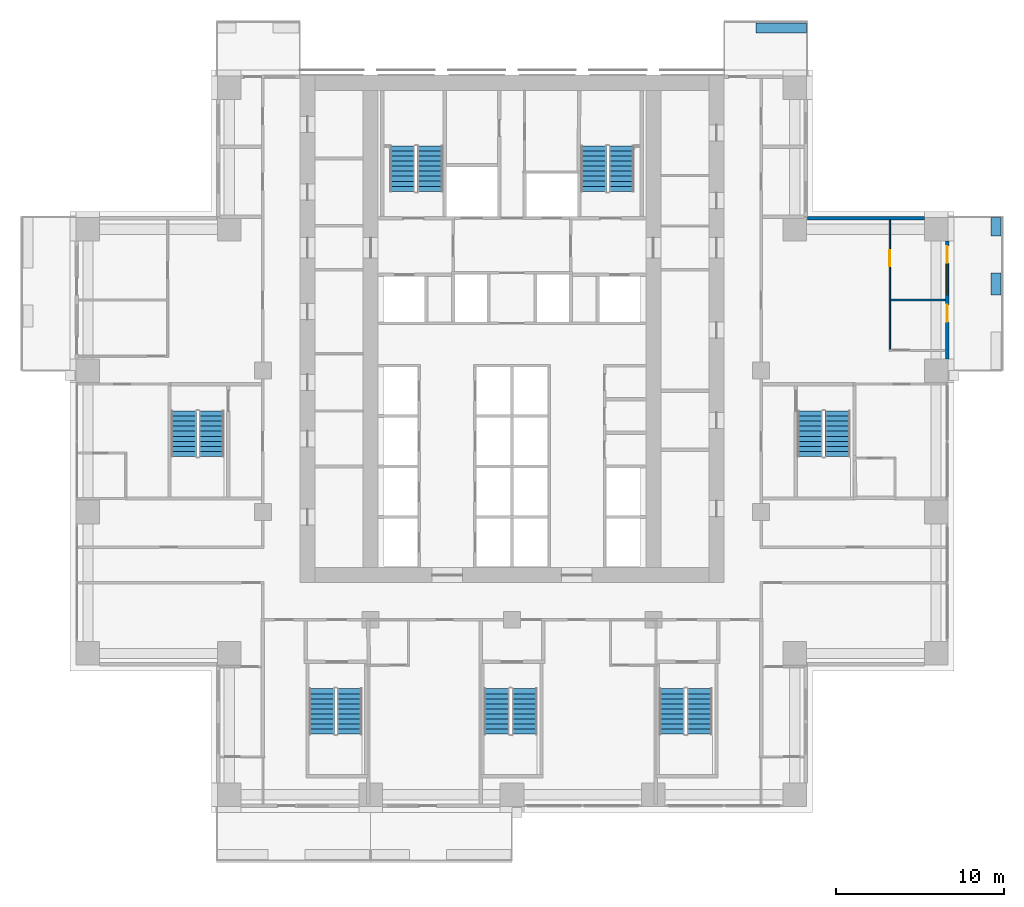
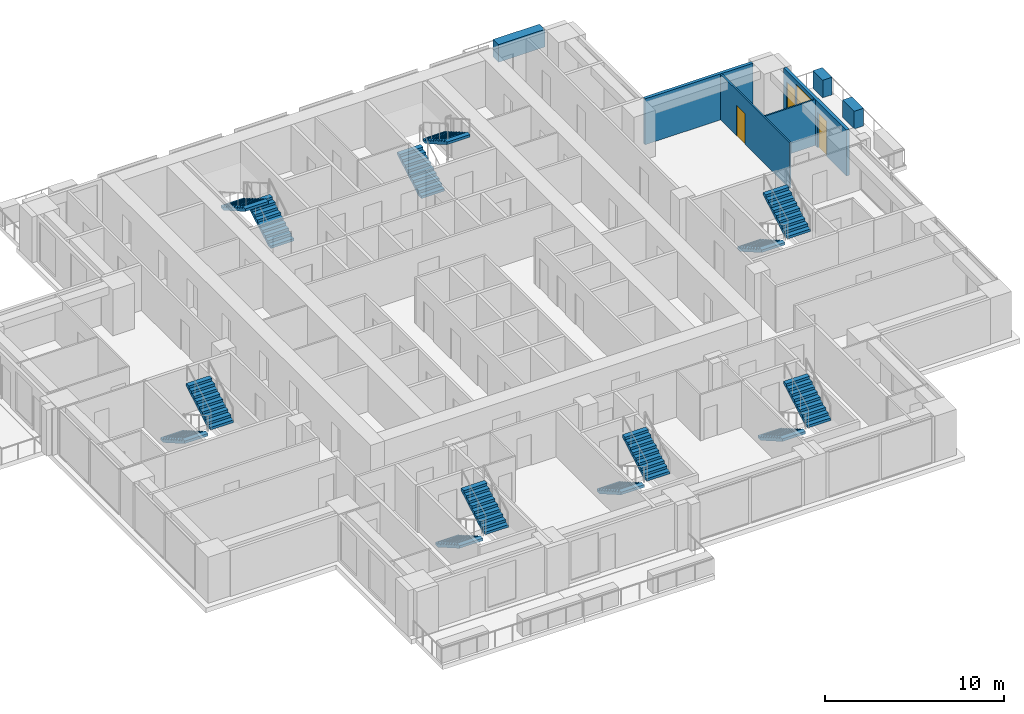
# One storey, part 12 of 16: 14 stair flights, 7 walls, 3 doors, 1 window, 4 openings, 7 elements without a shape of their own.
"""IFC4 building model written with IfcOpenShell, lengths in metres."""

from ifc_helpers import new_model, si_unit, direction, frame, frame_2d, origin, place, context, subcontext, project, spatial, polyline, rectangle, outline, extrude, material, layer, layer_set, type_object, element, fill, aggregate, save


model = new_model("IFC4")

# Units and contexts
model_context = context("Model", 3, precision=1e-05, world=origin(), true_north=direction((0.0, 1.0)))
body_context = subcontext(model_context, "Body", "Model", "MODEL_VIEW")
ifc_project = project(units=[si_unit("LENGTHUNIT", "METRE"), si_unit("AREAUNIT", "SQUARE_METRE"), si_unit("VOLUMEUNIT", "CUBIC_METRE"), si_unit("PLANEANGLEUNIT", "RADIAN"), si_unit("MASSUNIT", "GRAM", prefix="KILO")], contexts=[model_context])

# Site, building, storey
site_placement = place(None, origin())
site = spatial("IfcSite", under=ifc_project, at=site_placement, CompositionType="ELEMENT")
building_placement = place(site_placement, origin())
building = spatial("IfcBuilding", under=site, at=building_placement, Name="Vermilion Ogive Tower", CompositionType="ELEMENT")
storey_placement = place(building_placement, frame((0.0, 0.0, 41.39990234375)))
storey = spatial("IfcBuildingStorey", under=building, at=storey_placement, Name="L08", CompositionType="ELEMENT", Elevation=41.39990234375)

# Wall
ifc_material_1 = material(Name="Gypsum board partition on steel studs", Category="steel")
ifc_layer_1 = layer(ifc_material_1, 0.10009765625)
ifc_layer_set_1 = layer_set([ifc_layer_1], Name="Partition 100 inner")
wall_type_1 = type_object("IfcWallType", Name="Partition 100 inner", PredefinedType="PARTITIONING", material=ifc_layer_set_1)
wall_1_placement = place(storey_placement, frame((22.5, 8.39990234375, 0.0), z_axis=(0.0, 0.0, 1.0), x_axis=(1.0, 0.0, 0.0)))
element("IfcWall", 1, at=wall_1_placement, inside=storey, type_object=wall_type_1, Name="L08-W-W036", PredefinedType="PARTITIONING", context=body_context, shape_type="SweptSolid", body=[
    extrude(rectangle(XDim=3.25, YDim=0.10009765625, at=frame_2d((1.625, 0.0))), origin(), (0.0, 0.0, 1.0), 3.130126953125),
])

# Wall, opening, door
wall_2_placement = place(storey_placement, frame((22.449951171875, 5.449951171875, 0.0), z_axis=(0.0, 0.0, 1.0), x_axis=(0.0, 1.0, 0.0)))
wall_2 = element("IfcWall", 2, at=wall_2_placement, inside=storey, type_object=wall_type_1, Name="L08-W-W072", PredefinedType="PARTITIONING", context=body_context, shape_type="SweptSolid", body=[
    extrude(rectangle(XDim=7.699951171875, YDim=0.10009765625, at=frame_2d((3.85009765625, 0.0))), origin(), (0.0, 0.0, 1.0), 3.130126953125),
])
opening_1_placement = place(wall_2_placement, frame((4.949951171875, 0.0, 0.0)))
opening_1 = element("IfcOpeningElement", 3, at=opening_1_placement, cuts=wall_2, Name="Opening D1G2019", PredefinedType="OPENING", context=body_context, shape_type="SweptSolid", body=[
    extrude(rectangle(XDim=0.949951171875, YDim=2.10009765625, at=frame_2d((0.47509765625, 1.050048828125))), frame((0.0, 0.06005859375, 0.0), z_axis=(0.0, -1.0, 0.0), x_axis=(1.0, 0.0, 0.0)), (0.0, 0.0, 1.0), 0.1201171875),
])
ifc_material_2 = material(Name="Timber door leaf", Category="wood")
door_type_1 = type_object("IfcDoorType", Name="Inner door 950 x 2100 FD30", OperationType="SINGLE_SWING_LEFT", PredefinedType="DOOR", material=ifc_material_2)
door_1_placement = place(opening_1_placement, origin())
door_1 = element("IfcDoor", 4, at=door_1_placement, inside=storey, type_object=door_type_1, Name="L08-D-D019", OperationType="SINGLE_SWING_LEFT", OverallHeight=2.10009765625, OverallWidth=0.949951171875, PredefinedType="DOOR", context=body_context, shape_type="SweptSolid", body=[
    extrude(rectangle(XDim=0.949951171875, YDim=2.10009765625, at=frame_2d((0.47509765625, 1.050048828125))), frame((0.0, 0.02490234375, 0.0), z_axis=(0.0, -1.0, 0.0), x_axis=(1.0, 0.0, 0.0)), (0.0, 0.0, 1.0), 0.050048828125),
])
fill(opening_1, door_1)

# Walls
ifc_material_3 = material(Name="Concrete B40", Category="concrete")
ifc_layer_2 = layer(ifc_material_3, 0.60009765625)
ifc_layer_set_2 = layer_set([ifc_layer_2], Name="Structural planter")
wall_type_2 = type_object("IfcWallType", Name="Structural planter", PredefinedType="USERDEFINED", material=ifc_layer_set_2)
wall_3_placement = place(storey_placement, frame((28.75, 8.699951171875, -0.039794921875), z_axis=(0.0, 0.0, 1.0), x_axis=(0.0, 1.0, 0.0)))
element("IfcWall", 5, at=wall_3_placement, inside=storey, type_object=wall_type_2, Name="Planter E03A2", ObjectType="PLANTER", PredefinedType="USERDEFINED", context=body_context, shape_type="SweptSolid", body=[
    extrude(rectangle(XDim=1.300048828125, YDim=0.60009765625, at=frame_2d((0.64990234375, 0.0))), origin(), (0.0, 0.0, 1.0), 1.199951171875),
])
wall_4_placement = place(storey_placement, frame((28.75, 12.199951171875, -0.039794921875), z_axis=(0.0, 0.0, 1.0), x_axis=(0.0, 1.0, 0.0)))
element("IfcWall", 6, at=wall_4_placement, inside=storey, type_object=wall_type_2, Name="Planter E03A3", ObjectType="PLANTER", PredefinedType="USERDEFINED", context=body_context, shape_type="SweptSolid", body=[
    extrude(rectangle(XDim=1.090087890625, YDim=0.60009765625, at=frame_2d((0.544921875, 0.0))), origin(), (0.0, 0.0, 1.0), 1.199951171875),
])
wall_5_placement = place(storey_placement, frame((17.489990234375, 24.550048828125, -0.039794921875), z_axis=(0.0, 0.0, 1.0), x_axis=(-1.0, 0.0, 0.0)))
element("IfcWall", 7, at=wall_5_placement, inside=storey, type_object=wall_type_2, Name="Planter N101A1", ObjectType="PLANTER", PredefinedType="USERDEFINED", context=body_context, shape_type="SweptSolid", body=[
    extrude(rectangle(XDim=2.989990234375, YDim=0.60009765625, at=frame_2d((1.4951171875, 0.0))), origin(), (0.0, 0.0, 1.0), 1.199951171875),
])

# Wall, openings, doors, window
ifc_material_4 = material(Name="Aluminium window wall framing", Category="aluminium")
ifc_layer_3 = layer(ifc_material_4, 0.199951171875)
ifc_layer_set_3 = layer_set([ifc_layer_3], Name="Window wall")
wall_type_3 = type_object("IfcWallType", Name="Window wall", PredefinedType="STANDARD", material=ifc_layer_set_3)
wall_6_placement = place(storey_placement, frame((25.85009765625, 4.89990234375, 0.0), z_axis=(0.0, 0.0, 1.0), x_axis=(0.0, 1.0, 0.0)))
wall_6 = element("IfcWall", 8, at=wall_6_placement, inside=storey, type_object=wall_type_3, Name="Window wall E3", PredefinedType="STANDARD", context=body_context, shape_type="SweptSolid", body=[
    extrude(rectangle(XDim=7.0, YDim=0.199951171875, at=frame_2d((3.5, 0.0))), origin(), (0.0, 0.0, 1.0), 3.130126953125),
])
opening_2_placement = place(wall_6_placement, frame((2.199951171875, 0.0, 0.0)))
opening_2 = element("IfcOpeningElement", 9, at=opening_2_placement, cuts=wall_6, Name="Opening D1-E01", PredefinedType="OPENING", context=body_context, shape_type="SweptSolid", body=[
    extrude(rectangle(XDim=1.0, YDim=2.39990234375, at=frame_2d((0.5, 1.199951171875))), frame((0.0, 0.10986328125, 0.0), z_axis=(0.0, -1.0, 0.0), x_axis=(1.0, 0.0, 0.0)), (0.0, 0.0, 1.0), 0.219970703125),
])
opening_3_placement = place(wall_6_placement, frame((3.800048828125, 0.0, 0.199951171875)))
opening_3 = element("IfcOpeningElement", 10, at=opening_3_placement, cuts=wall_6, Name="Opening W1-E02", PredefinedType="OPENING", context=body_context, shape_type="SweptSolid", body=[
    extrude(rectangle(XDim=1.800048828125, YDim=2.64990234375, at=frame_2d((0.89990234375, 1.324951171875))), frame((0.0, 0.10986328125, 0.0), z_axis=(0.0, -1.0, 0.0), x_axis=(1.0, 0.0, 0.0)), (0.0, 0.0, 1.0), 0.219970703125),
])
opening_4_placement = place(wall_6_placement, frame((5.699951171875, 0.0, 0.0)))
opening_4 = element("IfcOpeningElement", 11, at=opening_4_placement, cuts=wall_6, Name="Opening D1-E02", PredefinedType="OPENING", context=body_context, shape_type="SweptSolid", body=[
    extrude(rectangle(XDim=1.0, YDim=2.39990234375, at=frame_2d((0.5, 1.199951171875))), frame((0.0, 0.10986328125, 0.0), z_axis=(0.0, -1.0, 0.0), x_axis=(1.0, 0.0, 0.0)), (0.0, 0.0, 1.0), 0.219970703125),
])
ifc_material_5 = material(Name="Aluminium framed glazed door", Category="aluminium")
door_type_2 = type_object("IfcDoorType", Name="Balcony door D1", OperationType="SINGLE_SWING_LEFT", PredefinedType="DOOR", material=ifc_material_5)
door_2_placement = place(opening_2_placement, origin())
door_2 = element("IfcDoor", 12, at=door_2_placement, inside=storey, type_object=door_type_2, Name="Balcony door E01", OperationType="SINGLE_SWING_LEFT", OverallHeight=2.39990234375, OverallWidth=1.0, PredefinedType="DOOR", context=body_context, shape_type="SweptSolid", body=[
    extrude(rectangle(XDim=1.0, YDim=2.39990234375, at=frame_2d((0.5, 1.199951171875))), frame((0.0, 0.02490234375, 0.0), z_axis=(0.0, -1.0, 0.0), x_axis=(1.0, 0.0, 0.0)), (0.0, 0.0, 1.0), 0.050048828125),
])
fill(opening_2, door_2)
door_3_placement = place(opening_4_placement, origin())
door_3 = element("IfcDoor", 13, at=door_3_placement, inside=storey, type_object=door_type_2, Name="Balcony door E02", OperationType="SINGLE_SWING_LEFT", OverallHeight=2.39990234375, OverallWidth=1.0, PredefinedType="DOOR", context=body_context, shape_type="SweptSolid", body=[
    extrude(rectangle(XDim=1.0, YDim=2.39990234375, at=frame_2d((0.5, 1.199951171875))), frame((0.0, 0.02490234375, 0.0), z_axis=(0.0, -1.0, 0.0), x_axis=(1.0, 0.0, 0.0)), (0.0, 0.0, 1.0), 0.050048828125),
])
fill(opening_4, door_3)
ifc_material_6 = material(Name="Aluminium framed double glazing", Category="aluminium")
window_type = type_object("IfcWindowType", Name="Guest window W1", PartitioningType="SINGLE_PANEL", PredefinedType="WINDOW", material=ifc_material_6)
window_placement = place(opening_3_placement, origin())
window = element("IfcWindow", 14, at=window_placement, inside=storey, type_object=window_type, Name="Window E02", OverallHeight=2.64990234375, OverallWidth=1.800048828125, PartitioningType="SINGLE_PANEL", PredefinedType="WINDOW", context=body_context, shape_type="SweptSolid", body=[
    extrude(rectangle(XDim=1.800048828125, YDim=2.64990234375, at=frame_2d((0.89990234375, 1.324951171875))), frame((0.0, 0.030029296875, 0.0), z_axis=(0.0, -1.0, 0.0), x_axis=(1.0, 0.0, 0.0)), (0.0, 0.0, 1.0), 0.06005859375),
])
fill(opening_3, window)

# Wall
wall_7_placement = place(storey_placement, frame((24.5, 13.25, 0.0), z_axis=(0.0, 0.0, 1.0), x_axis=(-1.0, 0.0, 0.0)))
element("IfcWall", 15, at=wall_7_placement, inside=storey, type_object=wall_type_3, Name="Window wall X31", PredefinedType="STANDARD", context=body_context, shape_type="SweptSolid", body=[
    extrude(rectangle(XDim=6.949951171875, YDim=0.199951171875, at=frame_2d((3.47509765625, 0.0))), origin(), (0.0, 0.0, 1.0), 3.130126953125),
])

# Stair, stair flights
ifc_material_7 = material(Name="Concrete B40", Category="concrete")
stair_type = type_object("IfcStairType", Name="Exit stair 1500", PredefinedType="HALF_TURN_STAIR", material=ifc_material_7)
stair_1_placement = place(storey_placement, origin())
stair_1 = element("IfcStair", 16, at=stair_1_placement, inside=storey, type_object=stair_type, Name="L08 Exit Stair ST1", PredefinedType="HALF_TURN_STAIR")
ifc_material_8 = material(Name="Concrete B40", Category="concrete")
stair_flight_type = type_object("IfcStairFlightType", Name="Stair flight 1500", PredefinedType="STRAIGHT", material=ifc_material_8)
stair_flight_1_placement = place(storey_placement, frame((-4.85009765625, 14.85009765625, 0.0), z_axis=(0.0, 0.0, 1.0), x_axis=(0.0, 1.0, 0.0)))
stair_flight_1 = element("IfcStairFlight", 17, at=stair_flight_1_placement, type_object=stair_flight_type, Name="ST1 flight 1", NumberOfRisers=10, NumberOfTreads=9, PredefinedType="STRAIGHT", RiserHeight=0.1725, TreadLength=0.3, context=body_context, shape_type="SweptSolid", body=[
    extrude(outline(polyline([(0.0, 0.0), (0.0, 0.172607421875), (0.300048828125, 0.172607421875), (0.300048828125, 0.344970703125), (0.60009765625, 0.344970703125), (0.60009765625, 0.517578125), (0.89990234375, 0.517578125), (0.89990234375, 0.68994140625), (1.199951171875, 0.68994140625), (1.199951171875, 0.862548828125), (1.5, 0.862548828125), (1.5, 1.034912109375), (1.800048828125, 1.034912109375), (1.800048828125, 1.20751953125), (2.10009765625, 1.20751953125), (2.10009765625, 1.3798828125), (2.39990234375, 1.3798828125), (2.39990234375, 1.552490234375), (2.699951171875, 1.552490234375), (2.699951171875, 1.72509765625), (2.699951171875, 1.379638671875), (0.30078125, 0.0), (0.0, 0.0)])), frame((0.0, 0.75, 0.0), z_axis=(0.0, -1.0, 0.0), x_axis=(1.0, 0.0, 0.0)), (0.0, 0.0, 1.0), 1.5),
])
stair_flight_2_placement = place(storey_placement, frame((-6.5, 17.550048828125, 1.72509765625), z_axis=(0.0, 0.0, 1.0), x_axis=(0.0, -1.0, 0.0)))
stair_flight_2 = element("IfcStairFlight", 18, at=stair_flight_2_placement, type_object=stair_flight_type, Name="ST1 flight 2", NumberOfRisers=10, NumberOfTreads=9, PredefinedType="STRAIGHT", RiserHeight=0.1725, TreadLength=0.3, context=body_context, shape_type="SweptSolid", body=[
    extrude(outline(polyline([(0.0, 0.0), (0.0, 0.172607421875), (0.300048828125, 0.172607421875), (0.300048828125, 0.344970703125), (0.60009765625, 0.344970703125), (0.60009765625, 0.517578125), (0.89990234375, 0.517578125), (0.89990234375, 0.68994140625), (1.199951171875, 0.68994140625), (1.199951171875, 0.862548828125), (1.5, 0.862548828125), (1.5, 1.034912109375), (1.800048828125, 1.034912109375), (1.800048828125, 1.20751953125), (2.10009765625, 1.20751953125), (2.10009765625, 1.3798828125), (2.39990234375, 1.3798828125), (2.39990234375, 1.552490234375), (2.699951171875, 1.552490234375), (2.699951171875, 1.72509765625), (2.699951171875, 1.379638671875), (0.30078125, 0.0), (0.0, 0.0)])), frame((0.0, 0.75, 0.0), z_axis=(0.0, -1.0, 0.0), x_axis=(1.0, 0.0, 0.0)), (0.0, 0.0, 1.0), 1.5),
])
aggregate(stair_1, [stair_flight_1, stair_flight_2])

stair_2_placement = place(storey_placement, origin())
stair_2 = element("IfcStair", 19, at=stair_2_placement, inside=storey, type_object=stair_type, Name="L08 Exit Stair ST2", PredefinedType="HALF_TURN_STAIR")
stair_flight_3_placement = place(storey_placement, frame((4.85009765625, 14.85009765625, 0.0), z_axis=(0.0, 0.0, 1.0), x_axis=(0.0, 1.0, 0.0)))
stair_flight_3 = element("IfcStairFlight", 20, at=stair_flight_3_placement, type_object=stair_flight_type, Name="ST2 flight 1", NumberOfRisers=10, NumberOfTreads=9, PredefinedType="STRAIGHT", RiserHeight=0.1725, TreadLength=0.3, context=body_context, shape_type="SweptSolid", body=[
    extrude(outline(polyline([(0.0, 0.0), (0.0, 0.172607421875), (0.300048828125, 0.172607421875), (0.300048828125, 0.344970703125), (0.60009765625, 0.344970703125), (0.60009765625, 0.517578125), (0.89990234375, 0.517578125), (0.89990234375, 0.68994140625), (1.199951171875, 0.68994140625), (1.199951171875, 0.862548828125), (1.5, 0.862548828125), (1.5, 1.034912109375), (1.800048828125, 1.034912109375), (1.800048828125, 1.20751953125), (2.10009765625, 1.20751953125), (2.10009765625, 1.3798828125), (2.39990234375, 1.3798828125), (2.39990234375, 1.552490234375), (2.699951171875, 1.552490234375), (2.699951171875, 1.72509765625), (2.699951171875, 1.379638671875), (0.30078125, 0.0), (0.0, 0.0)])), frame((0.0, 0.75, 0.0), z_axis=(0.0, -1.0, 0.0), x_axis=(1.0, 0.0, 0.0)), (0.0, 0.0, 1.0), 1.5),
])
stair_flight_4_placement = place(storey_placement, frame((6.5, 17.550048828125, 1.72509765625), z_axis=(0.0, 0.0, 1.0), x_axis=(0.0, -1.0, 0.0)))
stair_flight_4 = element("IfcStairFlight", 21, at=stair_flight_4_placement, type_object=stair_flight_type, Name="ST2 flight 2", NumberOfRisers=10, NumberOfTreads=9, PredefinedType="STRAIGHT", RiserHeight=0.1725, TreadLength=0.3, context=body_context, shape_type="SweptSolid", body=[
    extrude(outline(polyline([(0.0, 0.0), (0.0, 0.172607421875), (0.300048828125, 0.172607421875), (0.300048828125, 0.344970703125), (0.60009765625, 0.344970703125), (0.60009765625, 0.517578125), (0.89990234375, 0.517578125), (0.89990234375, 0.68994140625), (1.199951171875, 0.68994140625), (1.199951171875, 0.862548828125), (1.5, 0.862548828125), (1.5, 1.034912109375), (1.800048828125, 1.034912109375), (1.800048828125, 1.20751953125), (2.10009765625, 1.20751953125), (2.10009765625, 1.3798828125), (2.39990234375, 1.3798828125), (2.39990234375, 1.552490234375), (2.699951171875, 1.552490234375), (2.699951171875, 1.72509765625), (2.699951171875, 1.379638671875), (0.30078125, 0.0), (0.0, 0.0)])), frame((0.0, 0.75, 0.0), z_axis=(0.0, -1.0, 0.0), x_axis=(1.0, 0.0, 0.0)), (0.0, 0.0, 1.0), 1.5),
])
aggregate(stair_2, [stair_flight_3, stair_flight_4])

stair_3_placement = place(storey_placement, origin())
stair_3 = element("IfcStair", 22, at=stair_3_placement, inside=storey, type_object=stair_type, Name="L08 Exit Stair ST3", PredefinedType="HALF_TURN_STAIR")
stair_flight_5_placement = place(storey_placement, frame((-11.300048828125, -14.699951171875, 0.0), z_axis=(0.0, 0.0, 1.0), x_axis=(0.0, -1.0, 0.0)))
stair_flight_5 = element("IfcStairFlight", 23, at=stair_flight_5_placement, type_object=stair_flight_type, Name="ST3 flight 1", NumberOfRisers=10, NumberOfTreads=9, PredefinedType="STRAIGHT", RiserHeight=0.1725, TreadLength=0.3, context=body_context, shape_type="SweptSolid", body=[
    extrude(outline(polyline([(0.0, 0.0), (0.0, 0.172607421875), (0.300048828125, 0.172607421875), (0.300048828125, 0.344970703125), (0.60009765625, 0.344970703125), (0.60009765625, 0.517578125), (0.89990234375, 0.517578125), (0.89990234375, 0.68994140625), (1.199951171875, 0.68994140625), (1.199951171875, 0.862548828125), (1.5, 0.862548828125), (1.5, 1.034912109375), (1.800048828125, 1.034912109375), (1.800048828125, 1.20751953125), (2.10009765625, 1.20751953125), (2.10009765625, 1.3798828125), (2.39990234375, 1.3798828125), (2.39990234375, 1.552490234375), (2.699951171875, 1.552490234375), (2.699951171875, 1.72509765625), (2.699951171875, 1.379638671875), (0.30078125, 0.0), (0.0, 0.0)])), frame((0.0, 0.75, 0.0), z_axis=(0.0, -1.0, 0.0), x_axis=(1.0, 0.0, 0.0)), (0.0, 0.0, 1.0), 1.5),
])
stair_flight_6_placement = place(storey_placement, frame((-9.64990234375, -17.39990234375, 1.72509765625), z_axis=(0.0, 0.0, 1.0), x_axis=(0.0, 1.0, 0.0)))
stair_flight_6 = element("IfcStairFlight", 24, at=stair_flight_6_placement, type_object=stair_flight_type, Name="ST3 flight 2", NumberOfRisers=10, NumberOfTreads=9, PredefinedType="STRAIGHT", RiserHeight=0.1725, TreadLength=0.3, context=body_context, shape_type="SweptSolid", body=[
    extrude(outline(polyline([(0.0, 0.0), (0.0, 0.172607421875), (0.300048828125, 0.172607421875), (0.300048828125, 0.344970703125), (0.60009765625, 0.344970703125), (0.60009765625, 0.517578125), (0.89990234375, 0.517578125), (0.89990234375, 0.68994140625), (1.199951171875, 0.68994140625), (1.199951171875, 0.862548828125), (1.5, 0.862548828125), (1.5, 1.034912109375), (1.800048828125, 1.034912109375), (1.800048828125, 1.20751953125), (2.10009765625, 1.20751953125), (2.10009765625, 1.3798828125), (2.39990234375, 1.3798828125), (2.39990234375, 1.552490234375), (2.699951171875, 1.552490234375), (2.699951171875, 1.72509765625), (2.699951171875, 1.379638671875), (0.30078125, 0.0), (0.0, 0.0)])), frame((0.0, 0.75, 0.0), z_axis=(0.0, -1.0, 0.0), x_axis=(1.0, 0.0, 0.0)), (0.0, 0.0, 1.0), 1.5),
])
aggregate(stair_3, [stair_flight_5, stair_flight_6])

stair_4_placement = place(storey_placement, origin())
stair_4 = element("IfcStair", 25, at=stair_4_placement, inside=storey, type_object=stair_type, Name="L08 Exit Stair ST4", PredefinedType="HALF_TURN_STAIR")
stair_flight_7_placement = place(storey_placement, frame((-0.89990234375, -14.699951171875, 0.0), z_axis=(0.0, 0.0, 1.0), x_axis=(0.0, -1.0, 0.0)))
stair_flight_7 = element("IfcStairFlight", 26, at=stair_flight_7_placement, type_object=stair_flight_type, Name="ST4 flight 1", NumberOfRisers=10, NumberOfTreads=9, PredefinedType="STRAIGHT", RiserHeight=0.1725, TreadLength=0.3, context=body_context, shape_type="SweptSolid", body=[
    extrude(outline(polyline([(0.0, 0.0), (0.0, 0.172607421875), (0.300048828125, 0.172607421875), (0.300048828125, 0.344970703125), (0.60009765625, 0.344970703125), (0.60009765625, 0.517578125), (0.89990234375, 0.517578125), (0.89990234375, 0.68994140625), (1.199951171875, 0.68994140625), (1.199951171875, 0.862548828125), (1.5, 0.862548828125), (1.5, 1.034912109375), (1.800048828125, 1.034912109375), (1.800048828125, 1.20751953125), (2.10009765625, 1.20751953125), (2.10009765625, 1.3798828125), (2.39990234375, 1.3798828125), (2.39990234375, 1.552490234375), (2.699951171875, 1.552490234375), (2.699951171875, 1.72509765625), (2.699951171875, 1.379638671875), (0.30078125, 0.0), (0.0, 0.0)])), frame((0.0, 0.75, 0.0), z_axis=(0.0, -1.0, 0.0), x_axis=(1.0, 0.0, 0.0)), (0.0, 0.0, 1.0), 1.5),
])
stair_flight_8_placement = place(storey_placement, frame((0.75, -17.39990234375, 1.72509765625), z_axis=(0.0, 0.0, 1.0), x_axis=(0.0, 1.0, 0.0)))
stair_flight_8 = element("IfcStairFlight", 27, at=stair_flight_8_placement, type_object=stair_flight_type, Name="ST4 flight 2", NumberOfRisers=10, NumberOfTreads=9, PredefinedType="STRAIGHT", RiserHeight=0.1725, TreadLength=0.3, context=body_context, shape_type="SweptSolid", body=[
    extrude(outline(polyline([(0.0, 0.0), (0.0, 0.172607421875), (0.300048828125, 0.172607421875), (0.300048828125, 0.344970703125), (0.60009765625, 0.344970703125), (0.60009765625, 0.517578125), (0.89990234375, 0.517578125), (0.89990234375, 0.68994140625), (1.199951171875, 0.68994140625), (1.199951171875, 0.862548828125), (1.5, 0.862548828125), (1.5, 1.034912109375), (1.800048828125, 1.034912109375), (1.800048828125, 1.20751953125), (2.10009765625, 1.20751953125), (2.10009765625, 1.3798828125), (2.39990234375, 1.3798828125), (2.39990234375, 1.552490234375), (2.699951171875, 1.552490234375), (2.699951171875, 1.72509765625), (2.699951171875, 1.379638671875), (0.30078125, 0.0), (0.0, 0.0)])), frame((0.0, 0.75, 0.0), z_axis=(0.0, -1.0, 0.0), x_axis=(1.0, 0.0, 0.0)), (0.0, 0.0, 1.0), 1.5),
])
aggregate(stair_4, [stair_flight_7, stair_flight_8])

stair_5_placement = place(storey_placement, origin())
stair_5 = element("IfcStair", 28, at=stair_5_placement, inside=storey, type_object=stair_type, Name="L08 Exit Stair ST5", PredefinedType="HALF_TURN_STAIR")
stair_flight_9_placement = place(storey_placement, frame((9.5, -14.699951171875, 0.0), z_axis=(0.0, 0.0, 1.0), x_axis=(0.0, -1.0, 0.0)))
stair_flight_9 = element("IfcStairFlight", 29, at=stair_flight_9_placement, type_object=stair_flight_type, Name="ST5 flight 1", NumberOfRisers=10, NumberOfTreads=9, PredefinedType="STRAIGHT", RiserHeight=0.1725, TreadLength=0.3, context=body_context, shape_type="SweptSolid", body=[
    extrude(outline(polyline([(0.0, 0.0), (0.0, 0.172607421875), (0.300048828125, 0.172607421875), (0.300048828125, 0.344970703125), (0.60009765625, 0.344970703125), (0.60009765625, 0.517578125), (0.89990234375, 0.517578125), (0.89990234375, 0.68994140625), (1.199951171875, 0.68994140625), (1.199951171875, 0.862548828125), (1.5, 0.862548828125), (1.5, 1.034912109375), (1.800048828125, 1.034912109375), (1.800048828125, 1.20751953125), (2.10009765625, 1.20751953125), (2.10009765625, 1.3798828125), (2.39990234375, 1.3798828125), (2.39990234375, 1.552490234375), (2.699951171875, 1.552490234375), (2.699951171875, 1.72509765625), (2.699951171875, 1.379638671875), (0.30078125, 0.0), (0.0, 0.0)])), frame((0.0, 0.75, 0.0), z_axis=(0.0, -1.0, 0.0), x_axis=(1.0, 0.0, 0.0)), (0.0, 0.0, 1.0), 1.5),
])
stair_flight_10_placement = place(storey_placement, frame((11.14990234375, -17.39990234375, 1.72509765625), z_axis=(0.0, 0.0, 1.0), x_axis=(0.0, 1.0, 0.0)))
stair_flight_10 = element("IfcStairFlight", 30, at=stair_flight_10_placement, type_object=stair_flight_type, Name="ST5 flight 2", NumberOfRisers=10, NumberOfTreads=9, PredefinedType="STRAIGHT", RiserHeight=0.1725, TreadLength=0.3, context=body_context, shape_type="SweptSolid", body=[
    extrude(outline(polyline([(0.0, 0.0), (0.0, 0.172607421875), (0.300048828125, 0.172607421875), (0.300048828125, 0.344970703125), (0.60009765625, 0.344970703125), (0.60009765625, 0.517578125), (0.89990234375, 0.517578125), (0.89990234375, 0.68994140625), (1.199951171875, 0.68994140625), (1.199951171875, 0.862548828125), (1.5, 0.862548828125), (1.5, 1.034912109375), (1.800048828125, 1.034912109375), (1.800048828125, 1.20751953125), (2.10009765625, 1.20751953125), (2.10009765625, 1.3798828125), (2.39990234375, 1.3798828125), (2.39990234375, 1.552490234375), (2.699951171875, 1.552490234375), (2.699951171875, 1.72509765625), (2.699951171875, 1.379638671875), (0.30078125, 0.0), (0.0, 0.0)])), frame((0.0, 0.75, 0.0), z_axis=(0.0, -1.0, 0.0), x_axis=(1.0, 0.0, 0.0)), (0.0, 0.0, 1.0), 1.5),
])
aggregate(stair_5, [stair_flight_9, stair_flight_10])

stair_6_placement = place(storey_placement, origin())
stair_6 = element("IfcStair", 31, at=stair_6_placement, inside=storey, type_object=stair_type, Name="L08 Exit Stair ST8", PredefinedType="HALF_TURN_STAIR")
stair_flight_11_placement = place(storey_placement, frame((17.699951171875, 1.800048828125, 0.0), z_axis=(0.0, 0.0, 1.0), x_axis=(0.0, -1.0, 0.0)))
stair_flight_11 = element("IfcStairFlight", 32, at=stair_flight_11_placement, type_object=stair_flight_type, Name="ST8 flight 1", NumberOfRisers=10, NumberOfTreads=9, PredefinedType="STRAIGHT", RiserHeight=0.1725, TreadLength=0.3, context=body_context, shape_type="SweptSolid", body=[
    extrude(outline(polyline([(0.0, 0.0), (0.0, 0.172607421875), (0.300048828125, 0.172607421875), (0.300048828125, 0.344970703125), (0.60009765625, 0.344970703125), (0.60009765625, 0.517578125), (0.89990234375, 0.517578125), (0.89990234375, 0.68994140625), (1.199951171875, 0.68994140625), (1.199951171875, 0.862548828125), (1.5, 0.862548828125), (1.5, 1.034912109375), (1.800048828125, 1.034912109375), (1.800048828125, 1.20751953125), (2.10009765625, 1.20751953125), (2.10009765625, 1.3798828125), (2.39990234375, 1.3798828125), (2.39990234375, 1.552490234375), (2.699951171875, 1.552490234375), (2.699951171875, 1.72509765625), (2.699951171875, 1.379638671875), (0.30078125, 0.0), (0.0, 0.0)])), frame((0.0, 0.75, 0.0), z_axis=(0.0, -1.0, 0.0), x_axis=(1.0, 0.0, 0.0)), (0.0, 0.0, 1.0), 1.5),
])
stair_flight_12_placement = place(storey_placement, frame((19.35009765625, -0.89990234375, 1.72509765625), z_axis=(0.0, 0.0, 1.0), x_axis=(0.0, 1.0, 0.0)))
stair_flight_12 = element("IfcStairFlight", 33, at=stair_flight_12_placement, type_object=stair_flight_type, Name="ST8 flight 2", NumberOfRisers=10, NumberOfTreads=9, PredefinedType="STRAIGHT", RiserHeight=0.1725, TreadLength=0.3, context=body_context, shape_type="SweptSolid", body=[
    extrude(outline(polyline([(0.0, 0.0), (0.0, 0.172607421875), (0.300048828125, 0.172607421875), (0.300048828125, 0.344970703125), (0.60009765625, 0.344970703125), (0.60009765625, 0.517578125), (0.89990234375, 0.517578125), (0.89990234375, 0.68994140625), (1.199951171875, 0.68994140625), (1.199951171875, 0.862548828125), (1.5, 0.862548828125), (1.5, 1.034912109375), (1.800048828125, 1.034912109375), (1.800048828125, 1.20751953125), (2.10009765625, 1.20751953125), (2.10009765625, 1.3798828125), (2.39990234375, 1.3798828125), (2.39990234375, 1.552490234375), (2.699951171875, 1.552490234375), (2.699951171875, 1.72509765625), (2.699951171875, 1.379638671875), (0.30078125, 0.0), (0.0, 0.0)])), frame((0.0, 0.75, 0.0), z_axis=(0.0, -1.0, 0.0), x_axis=(1.0, 0.0, 0.0)), (0.0, 0.0, 1.0), 1.5),
])
aggregate(stair_6, [stair_flight_11, stair_flight_12])

stair_7_placement = place(storey_placement, origin())
stair_7 = element("IfcStair", 34, at=stair_7_placement, inside=storey, type_object=stair_type, Name="L08 Exit Stair ST9", PredefinedType="HALF_TURN_STAIR")
stair_flight_13_placement = place(storey_placement, frame((-19.5, 1.800048828125, 0.0), z_axis=(0.0, 0.0, 1.0), x_axis=(0.0, -1.0, 0.0)))
stair_flight_13 = element("IfcStairFlight", 35, at=stair_flight_13_placement, type_object=stair_flight_type, Name="ST9 flight 1", NumberOfRisers=10, NumberOfTreads=9, PredefinedType="STRAIGHT", RiserHeight=0.1725, TreadLength=0.3, context=body_context, shape_type="SweptSolid", body=[
    extrude(outline(polyline([(0.0, 0.0), (0.0, 0.172607421875), (0.300048828125, 0.172607421875), (0.300048828125, 0.344970703125), (0.60009765625, 0.344970703125), (0.60009765625, 0.517578125), (0.89990234375, 0.517578125), (0.89990234375, 0.68994140625), (1.199951171875, 0.68994140625), (1.199951171875, 0.862548828125), (1.5, 0.862548828125), (1.5, 1.034912109375), (1.800048828125, 1.034912109375), (1.800048828125, 1.20751953125), (2.10009765625, 1.20751953125), (2.10009765625, 1.3798828125), (2.39990234375, 1.3798828125), (2.39990234375, 1.552490234375), (2.699951171875, 1.552490234375), (2.699951171875, 1.72509765625), (2.699951171875, 1.379638671875), (0.30078125, 0.0), (0.0, 0.0)])), frame((0.0, 0.75, 0.0), z_axis=(0.0, -1.0, 0.0), x_axis=(1.0, 0.0, 0.0)), (0.0, 0.0, 1.0), 1.5),
])
stair_flight_14_placement = place(storey_placement, frame((-17.85009765625, -0.89990234375, 1.72509765625), z_axis=(0.0, 0.0, 1.0), x_axis=(0.0, 1.0, 0.0)))
stair_flight_14 = element("IfcStairFlight", 36, at=stair_flight_14_placement, type_object=stair_flight_type, Name="ST9 flight 2", NumberOfRisers=10, NumberOfTreads=9, PredefinedType="STRAIGHT", RiserHeight=0.1725, TreadLength=0.3, context=body_context, shape_type="SweptSolid", body=[
    extrude(outline(polyline([(0.0, 0.0), (0.0, 0.172607421875), (0.300048828125, 0.172607421875), (0.300048828125, 0.344970703125), (0.60009765625, 0.344970703125), (0.60009765625, 0.517578125), (0.89990234375, 0.517578125), (0.89990234375, 0.68994140625), (1.199951171875, 0.68994140625), (1.199951171875, 0.862548828125), (1.5, 0.862548828125), (1.5, 1.034912109375), (1.800048828125, 1.034912109375), (1.800048828125, 1.20751953125), (2.10009765625, 1.20751953125), (2.10009765625, 1.3798828125), (2.39990234375, 1.3798828125), (2.39990234375, 1.552490234375), (2.699951171875, 1.552490234375), (2.699951171875, 1.72509765625), (2.699951171875, 1.379638671875), (0.30078125, 0.0), (0.0, 0.0)])), frame((0.0, 0.75, 0.0), z_axis=(0.0, -1.0, 0.0), x_axis=(1.0, 0.0, 0.0)), (0.0, 0.0, 1.0), 1.5),
])
aggregate(stair_7, [stair_flight_13, stair_flight_14])

save(model, "model.ifc")
